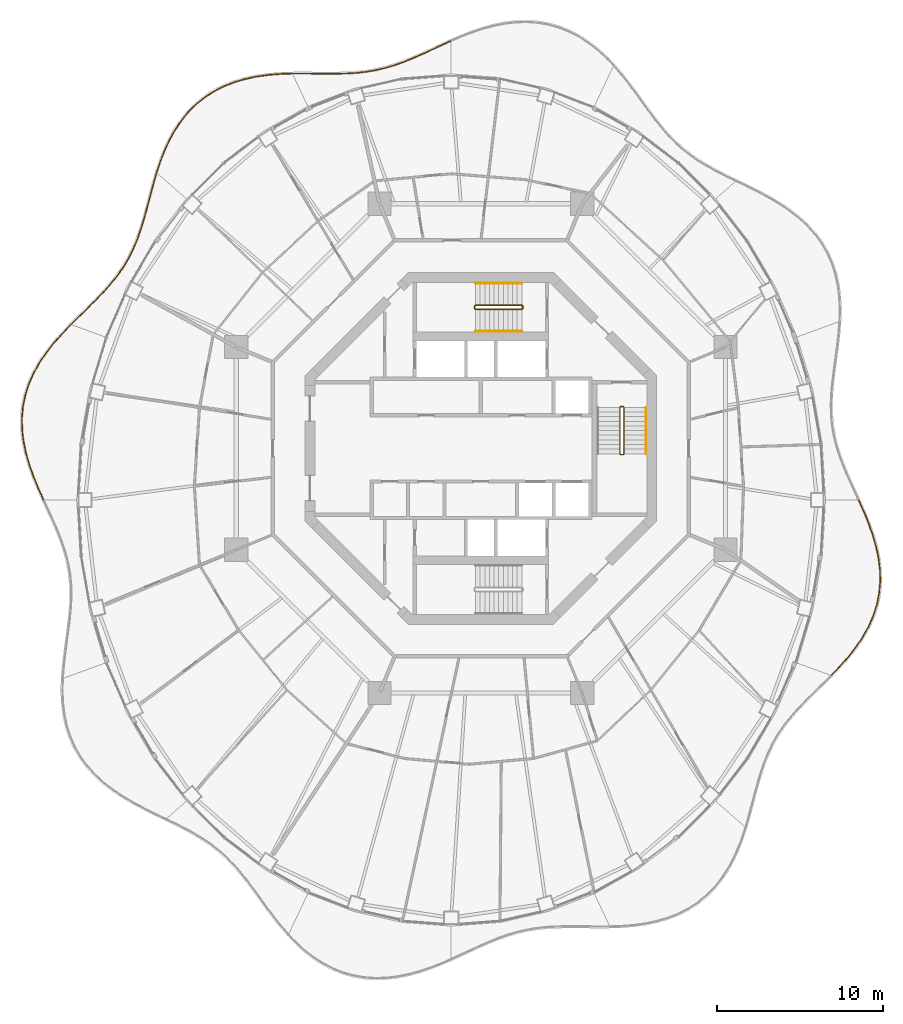
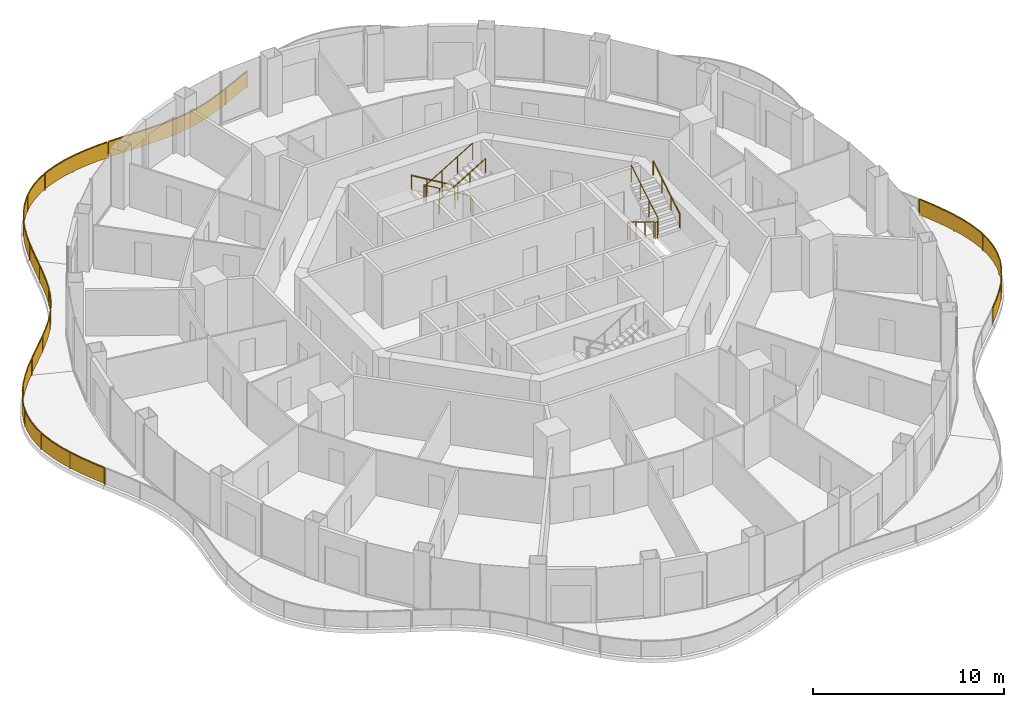
# One storey, part 16 of 17: 10 railings.
"""IFC4 building model written with IfcOpenShell, lengths in metres."""

from ifc_helpers import new_model, si_unit, direction, frame, origin, origin_2d, place, context, subcontext, project, spatial, polyline, rectangle, circle, outline, extrude, material, type_object, element, save


model = new_model("IFC4")

# Units and contexts
model_context = context("Model", 3, precision=1e-05, world=origin(), true_north=direction((0.0, 1.0)))
body_context = subcontext(model_context, "Body", "Model", "MODEL_VIEW")
ifc_project = project(units=[si_unit("LENGTHUNIT", "METRE"), si_unit("AREAUNIT", "SQUARE_METRE"), si_unit("VOLUMEUNIT", "CUBIC_METRE"), si_unit("PLANEANGLEUNIT", "RADIAN"), si_unit("MASSUNIT", "GRAM", prefix="KILO")], contexts=[model_context])

# Site, building, storey
site_placement = place(None, origin())
site = spatial("IfcSite", under=ifc_project, at=site_placement, CompositionType="ELEMENT")
building_placement = place(site_placement, origin())
building = spatial("IfcBuilding", under=site, at=building_placement, Name="Nagisa Residences", CompositionType="ELEMENT")
storey_placement = place(building_placement, frame((0.0, 0.0, 291.800048828125)))
storey = spatial("IfcBuildingStorey", under=building, at=storey_placement, Name="L74", CompositionType="ELEMENT", Elevation=291.800048828125)

# Railings
ifc_material_1 = material(Name="Stainless steel 316", Category="steel")
railing_type_1 = type_object("IfcRailingType", Name="BALCONY GUARD 1100", PredefinedType="BALUSTRADE", material=ifc_material_1)
railing_1_placement = place(storey_placement, frame((-1.83447265625, 24.60107421875, 0.0)))
element("IfcRailing", 1, at=railing_1_placement, inside=storey, type_object=railing_type_1, Name="guard:L74:bal04-0", PredefinedType="BALUSTRADE", context=body_context, shape_type="SweptSolid", body=[
    extrude(outline(polyline([(-0.55712890625, -0.28271484375), (0.010498046875, -0.022705078125), (-0.010498046875, 0.022705078125), (-0.578125, -0.2373046875), (-1.1748046875, -0.513671875), (-1.758056640625, -0.780517578125), (-2.33056640625, -1.030029296875), (-2.89599609375, -1.255126953125), (-3.43994140625, -1.44775390625), (-4.002685546875, -1.61083984375), (-4.569580078125, -1.7392578125), (-5.1455078125, -1.833984375), (-5.73291015625, -1.897705078125), (-6.318603515625, -1.928955078125), (-6.93701171875, -1.943359375), (-7.572021484375, -1.943359375), (-8.222900390625, -1.936279296875), (-8.887939453125, -1.9306640625), (-9.516845703125, -1.933349609375), (-9.516845703125, -1.983154296875), (-8.887939453125, -1.98095703125), (-8.223388671875, -1.986083984375), (-7.572509765625, -1.9931640625), (-6.9365234375, -1.99365234375), (-6.316650390625, -1.978759765625), (-5.72900390625, -1.947509765625), (-5.138671875, -1.8837890625), (-4.559814453125, -1.78857421875), (-3.989990234375, -1.6591796875), (-3.4248046875, -1.49560546875), (-2.87841796875, -1.302001953125), (-2.3115234375, -1.076416015625), (-1.737548828125, -0.826416015625), (-1.15380859375, -0.55908203125), (-0.55712890625, -0.28271484375)])), frame((0.0, 0.0, 1.050048828125)), (0.0, 0.0, 1.0), 0.050048828125),
    extrude(outline(polyline([(-0.564697265625, -0.266357421875), (0.0029296875, -0.00634765625), (-0.0029296875, 0.00634765625), (-0.570556640625, -0.253662109375), (-1.167236328125, -0.530029296875), (-1.750732421875, -0.797119140625), (-2.32373046875, -1.046875), (-2.8896484375, -1.27197265625), (-3.4345703125, -1.465087890625), (-3.998046875, -1.628173828125), (-4.566162109375, -1.757080078125), (-5.14306640625, -1.85205078125), (-5.7314453125, -1.91552734375), (-6.31787109375, -1.94677734375), (-6.936767578125, -1.96142578125), (-7.572265625, -1.961181640625), (-8.22314453125, -1.9541015625), (-8.887939453125, -1.94873046875), (-9.516845703125, -1.951171875), (-9.516845703125, -1.96533203125), (-8.887939453125, -1.962890625), (-8.22314453125, -1.96826171875), (-7.572265625, -1.975341796875), (-6.936767578125, -1.9755859375), (-6.3173828125, -1.9609375), (-5.73046875, -1.9296875), (-5.14111328125, -1.86572265625), (-4.563232421875, -1.770751953125), (-3.99462890625, -1.641845703125), (-3.43017578125, -1.478271484375), (-2.884765625, -1.28515625), (-2.318359375, -1.0595703125), (-1.744873046875, -0.809814453125), (-1.161376953125, -0.542724609375), (-0.564697265625, -0.266357421875)])), frame((0.0, 0.0, 0.06005859375)), (0.0, 0.0, 1.0), 0.989990234375),
    extrude(rectangle(XDim=0.0400390625, YDim=0.0400390625, at=origin_2d()), origin(), (0.0, 0.0, 1.0), 1.050048828125),
    extrude(rectangle(XDim=0.0400390625, YDim=0.0400390625, at=origin_2d()), frame((-1.794189453125, -0.82373046875, 0.0)), (0.0, 0.0, 1.0), 1.050048828125),
    extrude(rectangle(XDim=0.0400390625, YDim=0.0400390625, at=origin_2d()), frame((-3.6357421875, -1.530517578125, 0.0)), (0.0, 0.0, 1.0), 1.050048828125),
    extrude(rectangle(XDim=0.0400390625, YDim=0.0400390625, at=origin_2d()), frame((-5.570556640625, -1.9052734375, 0.0)), (0.0, 0.0, 1.0), 1.050048828125),
    extrude(rectangle(XDim=0.0400390625, YDim=0.0400390625, at=origin_2d()), frame((-7.542724609375, -1.96826171875, 0.0)), (0.0, 0.0, 1.0), 1.050048828125),
    extrude(rectangle(XDim=0.0400390625, YDim=0.0400390625, at=origin_2d()), frame((-9.516845703125, -1.958251953125, 0.0)), (0.0, 0.0, 1.0), 1.050048828125),
])
railing_2_placement = place(storey_placement, frame((-11.427978515625, 22.642578125, 0.0)))
element("IfcRailing", 2, at=railing_2_placement, inside=storey, type_object=railing_type_1, Name="guard:L74:bal05-0", PredefinedType="BALUSTRADE", context=body_context, shape_type="SweptSolid", body=[
    extrude(outline(polyline([(-0.659912109375, -0.046875), (0.000732421875, -0.02490234375), (-0.000732421875, 0.02490234375), (-0.662841796875, 0.0029296875), (-1.372314453125, -0.053955078125), (-2.076904296875, -0.150146484375), (-2.76953125, -0.292724609375), (-3.43994140625, -0.486572265625), (-4.07470703125, -0.73046875), (-4.687744140625, -1.041015625), (-5.26171875, -1.410888671875), (-5.79150390625, -1.838623046875), (-6.27392578125, -2.320068359375), (-6.6953125, -2.8408203125), (-7.07958984375, -3.414794921875), (-7.41650390625, -4.024658203125), (-7.708984375, -4.661865234375), (-7.963134765625, -5.31884765625), (-8.167236328125, -5.943359375), (-8.119873046875, -5.958984375), (-7.915771484375, -5.33544921875), (-7.6630859375, -4.681396484375), (-7.37158203125, -4.047119140625), (-7.03662109375, -3.440673828125), (-6.65478515625, -2.87060546875), (-6.23681640625, -2.353759765625), (-5.7578125, -1.875732421875), (-5.232421875, -1.451416015625), (-4.662841796875, -1.08447265625), (-4.05419921875, -0.7763671875), (-3.423828125, -0.533935546875), (-2.75732421875, -0.341552734375), (-2.068603515625, -0.199462890625), (-1.366943359375, -0.103759765625), (-0.659912109375, -0.046875)])), frame((0.0, 0.0, 1.050048828125)), (0.0, 0.0, 1.0), 0.050048828125),
    extrude(outline(polyline([(-0.660888671875, -0.029052734375), (0.000244140625, -0.007080078125), (-0.000244140625, 0.007080078125), (-0.661865234375, -0.014892578125), (-1.370361328125, -0.07177734375), (-2.073974609375, -0.16796875), (-2.76513671875, -0.310302734375), (-3.43408203125, -0.503662109375), (-4.0673828125, -0.7470703125), (-4.6787109375, -1.056640625), (-5.251220703125, -1.425537109375), (-5.779296875, -1.85205078125), (-6.260498046875, -2.332275390625), (-6.6806640625, -2.8515625), (-7.064208984375, -3.424072265625), (-7.400390625, -4.03271484375), (-7.6923828125, -4.6689453125), (-7.946044921875, -5.32470703125), (-8.150146484375, -5.948974609375), (-8.136962890625, -5.953369140625), (-7.932861328125, -5.32958984375), (-7.6796875, -4.67431640625), (-7.3876953125, -4.0390625), (-7.052001953125, -3.431396484375), (-6.66943359375, -2.85986328125), (-6.250244140625, -2.341552734375), (-5.77001953125, -1.8623046875), (-5.242919921875, -1.436767578125), (-4.671875, -1.06884765625), (-4.0615234375, -0.759765625), (-3.4296875, -0.516845703125), (-2.76171875, -0.323974609375), (-2.071533203125, -0.181640625), (-1.368896484375, -0.0859375), (-0.660888671875, -0.029052734375)])), frame((0.0, 0.0, 0.06005859375)), (0.0, 0.0, 1.0), 0.989990234375),
    extrude(rectangle(XDim=0.0400390625, YDim=0.0400390625, at=origin_2d()), origin(), (0.0, 0.0, 1.0), 1.050048828125),
    extrude(rectangle(XDim=0.0400390625, YDim=0.0400390625, at=origin_2d()), frame((-2.186767578125, -0.1982421875, 0.0)), (0.0, 0.0, 1.0), 1.050048828125),
    extrude(rectangle(XDim=0.0400390625, YDim=0.0400390625, at=origin_2d()), frame((-4.275146484375, -0.860107421875, 0.0)), (0.0, 0.0, 1.0), 1.050048828125),
    extrude(rectangle(XDim=0.0400390625, YDim=0.0400390625, at=origin_2d()), frame((-6.052001953125, -2.1337890625, 0.0)), (0.0, 0.0, 1.0), 1.050048828125),
    extrude(rectangle(XDim=0.0400390625, YDim=0.0400390625, at=origin_2d()), frame((-7.32666015625, -3.913818359375, 0.0)), (0.0, 0.0, 1.0), 1.050048828125),
    extrude(rectangle(XDim=0.0400390625, YDim=0.0400390625, at=origin_2d()), frame((-8.1435546875, -5.951171875, 0.0)), (0.0, 0.0, 1.0), 1.050048828125),
])
railing_3_placement = place(storey_placement, frame((-19.593017578125, 16.61767578125, 0.0)))
element("IfcRailing", 3, at=railing_3_placement, inside=storey, type_object=railing_type_1, Name="guard:L74:bal06-0", PredefinedType="BALUSTRADE", context=body_context, shape_type="SweptSolid", body=[
    extrude(outline(polyline([(-0.166015625, -0.666259765625), (0.02392578125, -0.0068359375), (-0.02392578125, 0.0068359375), (-0.21435546875, -0.652587890625), (-0.402099609375, -1.3505859375), (-0.582275390625, -2.03515625), (-0.76513671875, -2.700927734375), (-0.9609375, -3.343505859375), (-1.16943359375, -3.947265625), (-1.41552734375, -4.53662109375), (-1.69677734375, -5.099609375), (-2.016845703125, -5.638671875), (-2.37744140625, -6.1572265625), (-2.771240234375, -6.64697265625), (-3.20849609375, -7.139404296875), (-3.677490234375, -7.627685546875), (-4.170166015625, -8.117431640625), (-4.67724609375, -8.6142578125), (-5.157958984375, -9.08984375), (-5.122802734375, -9.12548828125), (-4.64208984375, -8.64990234375), (-4.135009765625, -8.153076171875), (-3.641845703125, -7.662841796875), (-3.171875, -7.173583984375), (-2.733154296875, -6.67919921875), (-2.33740234375, -6.18701171875), (-1.974853515625, -5.66552734375), (-1.65283203125, -5.12353515625), (-1.3701171875, -4.5576171875), (-1.12255859375, -3.96533203125), (-0.9130859375, -3.359130859375), (-0.71728515625, -2.715087890625), (-0.533935546875, -2.04833984375), (-0.353759765625, -1.36328125), (-0.166015625, -0.666259765625)])), frame((0.0, 0.0, 1.050048828125)), (0.0, 0.0, 1.0), 0.050048828125),
    extrude(outline(polyline([(-0.183349609375, -0.661376953125), (0.0068359375, -0.001953125), (-0.0068359375, 0.001953125), (-0.197021484375, -0.657470703125), (-0.384765625, -1.355224609375), (-0.56494140625, -2.0400390625), (-0.748046875, -2.7060546875), (-0.943603515625, -3.34912109375), (-1.152587890625, -3.953857421875), (-1.399169921875, -4.544189453125), (-1.680908203125, -5.108154296875), (-2.001708984375, -5.648193359375), (-2.363037109375, -6.16796875), (-2.757568359375, -6.658447265625), (-3.1953125, -7.15185546875), (-3.66455078125, -7.640380859375), (-4.157470703125, -8.13037109375), (-4.66455078125, -8.627197265625), (-5.145263671875, -9.102783203125), (-5.135498046875, -9.112548828125), (-4.65478515625, -8.636962890625), (-4.147705078125, -8.14013671875), (-3.65478515625, -7.650146484375), (-3.18505859375, -7.1611328125), (-2.746826171875, -6.667724609375), (-2.351806640625, -6.17626953125), (-1.989990234375, -5.656005859375), (-1.668701171875, -5.114990234375), (-1.386474609375, -4.550048828125), (-1.139404296875, -3.958740234375), (-0.930419921875, -3.353515625), (-0.734375, -2.7099609375), (-0.55126953125, -2.04345703125), (-0.37109375, -1.358642578125), (-0.183349609375, -0.661376953125)])), frame((0.0, 0.0, 0.06005859375)), (0.0, 0.0, 1.0), 0.989990234375),
    extrude(rectangle(XDim=0.0400390625, YDim=0.0400390625, at=origin_2d()), origin(), (0.0, 0.0, 1.0), 1.050048828125),
    extrude(rectangle(XDim=0.0400390625, YDim=0.0400390625, at=origin_2d()), frame((-0.564453125, -2.064697265625, 0.0)), (0.0, 0.0, 1.0), 1.050048828125),
    extrude(rectangle(XDim=0.0400390625, YDim=0.0400390625, at=origin_2d()), frame((-1.2080078125, -4.1044921875, 0.0)), (0.0, 0.0, 1.0), 1.050048828125),
    extrude(rectangle(XDim=0.0400390625, YDim=0.0400390625, at=origin_2d()), frame((-2.224853515625, -5.9814453125, 0.0)), (0.0, 0.0, 1.0), 1.050048828125),
    extrude(rectangle(XDim=0.0400390625, YDim=0.0400390625, at=origin_2d()), frame((-3.61865234375, -7.6025390625, 0.0)), (0.0, 0.0, 1.0), 1.050048828125),
    extrude(rectangle(XDim=0.0400390625, YDim=0.0400390625, at=origin_2d()), frame((-5.140380859375, -9.107666015625, 0.0)), (0.0, 0.0, 1.0), 1.050048828125),
])
railing_4_placement = place(storey_placement, frame((-24.7880859375, 7.456298828125, 0.0)))
element("IfcRailing", 4, at=railing_4_placement, inside=storey, type_object=railing_type_1, Name="guard:L74:bal07-0", PredefinedType="BALUSTRADE", context=body_context, shape_type="SweptSolid", body=[
    extrude(outline(polyline([(-0.471435546875, -0.525146484375), (0.01806640625, -0.017333984375), (-0.01806640625, 0.017333984375), (-0.508056640625, -0.491455078125), (-1.00634765625, -1.055908203125), (-1.47021484375, -1.644775390625), (-1.887451171875, -2.2587890625), (-2.2470703125, -2.89794921875), (-2.53662109375, -3.547119140625), (-2.755615234375, -4.23046875), (-2.897216796875, -4.930908203125), (-2.959716796875, -5.644287109375), (-2.944580078125, -6.36474609375), (-2.855224609375, -7.074462890625), (-2.701904296875, -7.795654296875), (-2.49267578125, -8.510986328125), (-2.239013671875, -9.216796875), (-1.95361328125, -9.910888671875), (-1.666259765625, -10.5498046875), (-1.620849609375, -10.529296875), (-1.90771484375, -9.890869140625), (-2.192138671875, -9.19873046875), (-2.44482421875, -8.495361328125), (-2.653564453125, -7.783447265625), (-2.805908203125, -7.066162109375), (-2.894775390625, -6.361328125), (-2.909423828125, -5.645751953125), (-2.847412109375, -4.938232421875), (-2.707275390625, -4.2431640625), (-2.48974609375, -3.565185546875), (-2.2021484375, -2.92041015625), (-1.844970703125, -2.28515625), (-1.4296875, -1.674560546875), (-0.9677734375, -1.088134765625), (-0.471435546875, -0.525146484375)])), frame((0.0, 0.0, 1.050048828125)), (0.0, 0.0, 1.0), 0.050048828125),
    extrude(outline(polyline([(-0.484619140625, -0.512939453125), (0.005126953125, -0.0048828125), (-0.005126953125, 0.0048828125), (-0.494873046875, -0.503662109375), (-0.992431640625, -1.067626953125), (-1.45556640625, -1.655517578125), (-1.8720703125, -2.268310546875), (-2.23095703125, -2.906005859375), (-2.519775390625, -3.5537109375), (-2.73828125, -4.235107421875), (-2.879150390625, -4.93359375), (-2.941650390625, -5.644775390625), (-2.9267578125, -6.363525390625), (-2.83740234375, -7.071533203125), (-2.6845703125, -7.791259765625), (-2.475341796875, -8.50537109375), (-2.22216796875, -9.210205078125), (-1.93701171875, -9.903564453125), (-1.64990234375, -10.54248046875), (-1.63720703125, -10.53662109375), (-1.92431640625, -9.898193359375), (-2.208984375, -9.205322265625), (-2.462158203125, -8.5009765625), (-2.6708984375, -7.787841796875), (-2.82373046875, -7.069091796875), (-2.91259765625, -6.362548828125), (-2.927490234375, -5.645263671875), (-2.865478515625, -4.935546875), (-2.724609375, -4.238525390625), (-2.506591796875, -3.55859375), (-2.21826171875, -2.912353515625), (-1.8603515625, -2.275634765625), (-1.4443359375, -1.663818359375), (-0.981689453125, -1.076416015625), (-0.484619140625, -0.512939453125)])), frame((0.0, 0.0, 0.06005859375)), (0.0, 0.0, 1.0), 0.989990234375),
    extrude(rectangle(XDim=0.0400390625, YDim=0.0400390625, at=origin_2d()), origin(), (0.0, 0.0, 1.0), 1.050048828125),
    extrude(rectangle(XDim=0.0400390625, YDim=0.0400390625, at=origin_2d()), frame((-1.51806640625, -1.759765625, 0.0)), (0.0, 0.0, 1.0), 1.050048828125),
    extrude(rectangle(XDim=0.0400390625, YDim=0.0400390625, at=origin_2d()), frame((-2.594970703125, -3.811279296875, 0.0)), (0.0, 0.0, 1.0), 1.050048828125),
    extrude(rectangle(XDim=0.0400390625, YDim=0.0400390625, at=origin_2d()), frame((-2.925048828125, -6.099853515625, 0.0)), (0.0, 0.0, 1.0), 1.050048828125),
    extrude(rectangle(XDim=0.0400390625, YDim=0.0400390625, at=origin_2d()), frame((-2.5048828125, -8.3798828125, 0.0)), (0.0, 0.0, 1.0), 1.050048828125),
    extrude(rectangle(XDim=0.0400390625, YDim=0.0400390625, at=origin_2d()), frame((-1.6435546875, -10.53955078125, 0.0)), (0.0, 0.0, 1.0), 1.050048828125),
])
railing_5_placement = place(storey_placement, frame((21.188232421875, -13.691650390625, 0.0)))
element("IfcRailing", 5, at=railing_5_placement, inside=storey, type_object=railing_type_1, Name="guard:L74:bal15-0", PredefinedType="BALUSTRADE", context=body_context, shape_type="SweptSolid", body=[
    extrude(outline(polyline([(0.47119140625, 0.525146484375), (-0.01806640625, 0.017333984375), (0.01806640625, -0.017333984375), (0.5078125, 0.491455078125), (1.00634765625, 1.055908203125), (1.47021484375, 1.644775390625), (1.88720703125, 2.2587890625), (2.246826171875, 2.89794921875), (2.536376953125, 3.546875), (2.755615234375, 4.23046875), (2.897216796875, 4.930908203125), (2.95947265625, 5.64404296875), (2.9443359375, 6.364501953125), (2.85498046875, 7.07421875), (2.70166015625, 7.795654296875), (2.49267578125, 8.510986328125), (2.23876953125, 9.216796875), (1.953369140625, 9.91064453125), (1.666015625, 10.5498046875), (1.62060546875, 10.529296875), (1.907470703125, 9.890625), (2.19189453125, 9.19873046875), (2.44482421875, 8.495361328125), (2.6533203125, 7.783447265625), (2.8056640625, 7.06591796875), (2.89453125, 6.361083984375), (2.9091796875, 5.6455078125), (2.847412109375, 4.938232421875), (2.707275390625, 4.2431640625), (2.489501953125, 3.56494140625), (2.201904296875, 2.92041015625), (1.8447265625, 2.28515625), (1.4296875, 1.674560546875), (0.9677734375, 1.088134765625), (0.47119140625, 0.525146484375)])), frame((0.0, 0.0, 1.050048828125)), (0.0, 0.0, 1.0), 0.050048828125),
    extrude(outline(polyline([(0.484375, 0.512939453125), (-0.005126953125, 0.0048828125), (0.005126953125, -0.0048828125), (0.49462890625, 0.503662109375), (0.992431640625, 1.067626953125), (1.45556640625, 1.655517578125), (1.871826171875, 2.268310546875), (2.230712890625, 2.906005859375), (2.51953125, 3.553466796875), (2.73828125, 4.235107421875), (2.879150390625, 4.93359375), (2.94140625, 5.64453125), (2.926513671875, 6.36328125), (2.837158203125, 7.0712890625), (2.684326171875, 7.791259765625), (2.475341796875, 8.50537109375), (2.221923828125, 9.210205078125), (1.936767578125, 9.9033203125), (1.649658203125, 10.54248046875), (1.636962890625, 10.53662109375), (1.924072265625, 9.89794921875), (2.208740234375, 9.205322265625), (2.462158203125, 8.5009765625), (2.670654296875, 7.787841796875), (2.823486328125, 7.06884765625), (2.912353515625, 6.3623046875), (2.92724609375, 5.64501953125), (2.865478515625, 4.935546875), (2.724609375, 4.238525390625), (2.50634765625, 3.558349609375), (2.218017578125, 2.912353515625), (1.860107421875, 2.275634765625), (1.4443359375, 1.663818359375), (0.981689453125, 1.076416015625), (0.484375, 0.512939453125)])), frame((0.0, 0.0, 0.06005859375)), (0.0, 0.0, 1.0), 0.989990234375),
    extrude(rectangle(XDim=0.0400390625, YDim=0.0400390625, at=origin_2d()), origin(), (0.0, 0.0, 1.0), 1.050048828125),
    extrude(rectangle(XDim=0.0400390625, YDim=0.0400390625, at=origin_2d()), frame((1.51806640625, 1.759765625, 0.0)), (0.0, 0.0, 1.0), 1.050048828125),
    extrude(rectangle(XDim=0.0400390625, YDim=0.0400390625, at=origin_2d()), frame((2.594970703125, 3.811279296875, 0.0)), (0.0, 0.0, 1.0), 1.050048828125),
    extrude(rectangle(XDim=0.0400390625, YDim=0.0400390625, at=origin_2d()), frame((2.9248046875, 6.099853515625, 0.0)), (0.0, 0.0, 1.0), 1.050048828125),
    extrude(rectangle(XDim=0.0400390625, YDim=0.0400390625, at=origin_2d()), frame((2.5048828125, 8.380126953125, 0.0)), (0.0, 0.0, 1.0), 1.050048828125),
    extrude(rectangle(XDim=0.0400390625, YDim=0.0400390625, at=origin_2d()), frame((1.643310546875, 10.53955078125, 0.0)), (0.0, 0.0, 1.0), 1.050048828125),
])
ifc_material_2 = material(Name="Stainless steel", Category="steel")
railing_type_2 = type_object("IfcRailingType", Name="Stair guard 1100", PredefinedType="GUARDRAIL", material=ifc_material_2)
railing_6_placement = place(storey_placement, frame((8.599609375, 2.52490234375, 0.0)))
element("IfcRailing", 6, at=railing_6_placement, inside=storey, type_object=railing_type_2, Name="L74 ST-E stair guard 1", PredefinedType="GUARDRAIL", context=body_context, shape_type="SweptSolid", body=[
    extrude(circle(Radius=0.02392578125, at=origin_2d()), frame((0.0, 0.0, 1.076171875), z_axis=(-1.0, 0.0, 0.0), x_axis=(0.0, -1.0, 0.0)), (0.0, 0.0, 1.0), 0.14990234375),
    extrude(circle(Radius=0.02392578125, at=origin_2d()), frame((-0.14990234375, 0.0, 1.076171875), z_axis=(-0.27434429532, -0.273006030465, 0.922064485248), x_axis=(0.705375805398, -0.708833529934, 0.0)), (0.0, 0.0, 1.0), 0.182373046875),
    extrude(circle(Radius=0.02392578125, at=origin_2d()), frame((-0.199951171875, -0.0498046875, 1.244140625), z_axis=(0.0, -0.857275202839, 0.514858452973), x_axis=(1.0, 0.0, 0.0)), (0.0, 0.0, 1.0), 3.26611328125),
    extrude(circle(Radius=0.02392578125, at=origin_2d()), frame((-0.199951171875, -2.849853515625, 2.92578125), z_axis=(0.707106781187, -0.707106781187, 0.0), x_axis=(0.707106781187, 0.707106781187, 0.0)), (0.0, 0.0, 1.0), 0.07080078125),
    extrude(circle(Radius=0.02392578125, at=origin_2d()), frame((-0.14990234375, -2.89990234375, 2.92578125), z_axis=(1.0, 0.0, 0.0), x_axis=(0.0, 1.0, 0.0)), (0.0, 0.0, 1.0), 0.14990234375),
    extrude(circle(Radius=0.02392578125, at=origin_2d()), frame((0.0, -2.89990234375, 2.92578125), z_axis=(0.274243871929, 0.274243871929, 0.92172696468), x_axis=(-0.707106781187, 0.707106781187, 0.0)), (0.0, 0.0, 1.0), 0.1826171875),
    extrude(circle(Radius=0.02392578125, at=origin_2d()), frame((0.050048828125, -2.849853515625, 3.09423828125), z_axis=(0.0, 0.857242210791, 0.514913383045), x_axis=(-1.0, 0.0, 0.0)), (0.0, 0.0, 1.0), 3.266357421875),
    extrude(circle(Radius=0.02099609375, at=origin_2d()), origin(), (0.0, 0.0, 1.0), 1.052001953125),
    extrude(circle(Radius=0.02099609375, at=origin_2d()), frame((-0.14990234375, 0.0, 0.0)), (0.0, 0.0, 1.0), 1.052001953125),
    extrude(circle(Radius=0.02099609375, at=origin_2d()), frame((-0.199951171875, -0.0498046875, 0.168212890625)), (0.0, 0.0, 1.0), 1.052001953125),
    extrude(circle(Radius=0.02099609375, at=origin_2d()), frame((-0.199951171875, -0.983154296875, 0.728759765625)), (0.0, 0.0, 1.0), 1.052001953125),
    extrude(circle(Radius=0.02099609375, at=origin_2d()), frame((-0.199951171875, -1.91650390625, 1.289306640625)), (0.0, 0.0, 1.0), 1.052001953125),
    extrude(circle(Radius=0.02099609375, at=origin_2d()), frame((-0.199951171875, -2.849853515625, 1.849853515625)), (0.0, 0.0, 1.0), 1.052001953125),
    extrude(circle(Radius=0.02099609375, at=origin_2d()), frame((-0.14990234375, -2.89990234375, 1.849853515625)), (0.0, 0.0, 1.0), 1.052001953125),
    extrude(circle(Radius=0.02099609375, at=origin_2d()), frame((0.0, -2.89990234375, 1.849853515625)), (0.0, 0.0, 1.0), 1.052001953125),
    extrude(circle(Radius=0.02099609375, at=origin_2d()), frame((0.050048828125, -2.849853515625, 2.01806640625)), (0.0, 0.0, 1.0), 1.052001953125),
    extrude(circle(Radius=0.02099609375, at=origin_2d()), frame((0.050048828125, -1.91650390625, 2.57861328125)), (0.0, 0.0, 1.0), 1.052001953125),
    extrude(circle(Radius=0.02099609375, at=origin_2d()), frame((0.050048828125, -0.983154296875, 3.139404296875)), (0.0, 0.0, 1.0), 1.052001953125),
    extrude(circle(Radius=0.02099609375, at=origin_2d()), frame((0.050048828125, -0.0498046875, 3.699951171875)), (0.0, 0.0, 1.0), 1.052001953125),
])
railing_7_placement = place(storey_placement, frame((2.52490234375, 8.44970703125, 0.0)))
element("IfcRailing", 7, at=railing_7_placement, inside=storey, type_object=railing_type_2, Name="L74 ST-N stair guard 1", PredefinedType="GUARDRAIL", context=body_context, shape_type="SweptSolid", body=[
    extrude(circle(Radius=0.02392578125, at=origin_2d()), frame((0.0, 0.0, 1.076171875), z_axis=(0.0, 1.0, 0.0), x_axis=(-1.0, 0.0, 0.0)), (0.0, 0.0, 1.0), 0.14990234375),
    extrude(circle(Radius=0.02392578125, at=origin_2d()), frame((0.0, 0.14990234375, 1.076171875), z_axis=(-0.273006030465, 0.27434429532, 0.922064485248), x_axis=(-0.708833529934, -0.705375805398, 0.0)), (0.0, 0.0, 1.0), 0.182373046875),
    extrude(circle(Radius=0.02392578125, at=origin_2d()), frame((-0.0498046875, 0.199951171875, 1.244140625), z_axis=(-0.857275202839, 0.0, 0.514858452973), x_axis=(0.0, -1.0, 0.0)), (0.0, 0.0, 1.0), 3.26611328125),
    extrude(circle(Radius=0.02392578125, at=origin_2d()), frame((-2.849853515625, 0.199951171875, 2.92578125), z_axis=(-0.707106781187, -0.707106781187, 0.0), x_axis=(0.707106781187, -0.707106781187, 0.0)), (0.0, 0.0, 1.0), 0.07080078125),
    extrude(circle(Radius=0.02392578125, at=origin_2d()), frame((-2.89990234375, 0.14990234375, 2.92578125), z_axis=(0.0, -1.0, 0.0), x_axis=(1.0, 0.0, 0.0)), (0.0, 0.0, 1.0), 0.14990234375),
    extrude(circle(Radius=0.02392578125, at=origin_2d()), frame((-2.89990234375, 0.0, 2.92578125), z_axis=(0.274243871929, -0.274243871929, 0.92172696468), x_axis=(0.707106781187, 0.707106781187, 0.0)), (0.0, 0.0, 1.0), 0.1826171875),
    extrude(circle(Radius=0.02392578125, at=origin_2d()), frame((-2.849853515625, -0.050048828125, 3.09423828125), z_axis=(0.857242210791, 0.0, 0.514913383045), x_axis=(0.0, 1.0, 0.0)), (0.0, 0.0, 1.0), 3.266357421875),
    extrude(circle(Radius=0.02099609375, at=origin_2d()), origin(), (0.0, 0.0, 1.0), 1.052001953125),
    extrude(circle(Radius=0.02099609375, at=origin_2d()), frame((0.0, 0.14990234375, 0.0)), (0.0, 0.0, 1.0), 1.052001953125),
    extrude(circle(Radius=0.02099609375, at=origin_2d()), frame((-0.0498046875, 0.199951171875, 0.168212890625)), (0.0, 0.0, 1.0), 1.052001953125),
    extrude(circle(Radius=0.02099609375, at=origin_2d()), frame((-0.983154296875, 0.199951171875, 0.728759765625)), (0.0, 0.0, 1.0), 1.052001953125),
    extrude(circle(Radius=0.02099609375, at=origin_2d()), frame((-1.91650390625, 0.199951171875, 1.289306640625)), (0.0, 0.0, 1.0), 1.052001953125),
    extrude(circle(Radius=0.02099609375, at=origin_2d()), frame((-2.849853515625, 0.199951171875, 1.849853515625)), (0.0, 0.0, 1.0), 1.052001953125),
    extrude(circle(Radius=0.02099609375, at=origin_2d()), frame((-2.89990234375, 0.14990234375, 1.849853515625)), (0.0, 0.0, 1.0), 1.052001953125),
    extrude(circle(Radius=0.02099609375, at=origin_2d()), frame((-2.89990234375, 0.0, 1.849853515625)), (0.0, 0.0, 1.0), 1.052001953125),
    extrude(circle(Radius=0.02099609375, at=origin_2d()), frame((-2.849853515625, -0.050048828125, 2.01806640625)), (0.0, 0.0, 1.0), 1.052001953125),
    extrude(circle(Radius=0.02099609375, at=origin_2d()), frame((-1.91650390625, -0.050048828125, 2.57861328125)), (0.0, 0.0, 1.0), 1.052001953125),
    extrude(circle(Radius=0.02099609375, at=origin_2d()), frame((-0.983154296875, -0.050048828125, 3.139404296875)), (0.0, 0.0, 1.0), 1.052001953125),
    extrude(circle(Radius=0.02099609375, at=origin_2d()), frame((-0.0498046875, -0.050048828125, 3.699951171875)), (0.0, 0.0, 1.0), 1.052001953125),
])
ifc_material_3 = material(Name="Stainless steel", Category="steel")
railing_type_3 = type_object("IfcRailingType", Name="Stair handrail 900", PredefinedType="HANDRAIL", material=ifc_material_3)
railing_8_placement = place(storey_placement, frame((9.974609375, -0.324951171875, 2.01806640625)))
element("IfcRailing", 8, at=railing_8_placement, inside=storey, type_object=railing_type_3, Name="L74 ST-E stair handrail 2", PredefinedType="HANDRAIL", context=body_context, shape_type="SweptSolid", body=[
    extrude(circle(Radius=0.02392578125, at=origin_2d()), frame((0.0, 0.0, 0.8759765625), z_axis=(0.0, 0.857242210791, 0.514913383045), x_axis=(-1.0, 0.0, 0.0)), (0.0, 0.0, 1.0), 3.266357421875),
    extrude(circle(Radius=0.02099609375, at=origin_2d()), origin(), (0.0, 0.0, 1.0), 0.851806640625),
    extrude(circle(Radius=0.02099609375, at=origin_2d()), frame((0.0, 0.933349609375, 0.560546875)), (0.0, 0.0, 1.0), 0.851806640625),
    extrude(circle(Radius=0.02099609375, at=origin_2d()), frame((0.0, 1.86669921875, 1.121337890625)), (0.0, 0.0, 1.0), 0.851806640625),
    extrude(circle(Radius=0.02099609375, at=origin_2d()), frame((0.0, 2.800048828125, 1.681884765625)), (0.0, 0.0, 1.0), 0.851806640625),
])
railing_9_placement = place(storey_placement, frame((2.47509765625, 9.974609375, 0.168212890625)))
element("IfcRailing", 9, at=railing_9_placement, inside=storey, type_object=railing_type_3, Name="L74 ST-N stair handrail 1", PredefinedType="HANDRAIL", context=body_context, shape_type="SweptSolid", body=[
    extrude(circle(Radius=0.02392578125, at=origin_2d()), frame((0.0, 0.0, 0.8759765625), z_axis=(-0.857275202839, 0.0, 0.514858452973), x_axis=(0.0, -1.0, 0.0)), (0.0, 0.0, 1.0), 3.26611328125),
    extrude(circle(Radius=0.02099609375, at=origin_2d()), origin(), (0.0, 0.0, 1.0), 0.851806640625),
    extrude(circle(Radius=0.02099609375, at=origin_2d()), frame((-0.933349609375, 0.0, 0.560546875)), (0.0, 0.0, 1.0), 0.851806640625),
    extrude(circle(Radius=0.02099609375, at=origin_2d()), frame((-1.86669921875, 0.0, 1.12109375)), (0.0, 0.0, 1.0), 0.851806640625),
    extrude(circle(Radius=0.02099609375, at=origin_2d()), frame((-2.800048828125, 0.0, 1.681640625)), (0.0, 0.0, 1.0), 0.851806640625),
])
railing_10_placement = place(storey_placement, frame((-0.324951171875, 7.07470703125, 2.01806640625)))
element("IfcRailing", 10, at=railing_10_placement, inside=storey, type_object=railing_type_3, Name="L74 ST-N stair handrail 2", PredefinedType="HANDRAIL", context=body_context, shape_type="SweptSolid", body=[
    extrude(circle(Radius=0.02392578125, at=origin_2d()), frame((0.0, 0.0, 0.8759765625), z_axis=(0.857242210791, 0.0, 0.514913383045), x_axis=(0.0, 1.0, 0.0)), (0.0, 0.0, 1.0), 3.266357421875),
    extrude(circle(Radius=0.02099609375, at=origin_2d()), origin(), (0.0, 0.0, 1.0), 0.851806640625),
    extrude(circle(Radius=0.02099609375, at=origin_2d()), frame((0.933349609375, 0.0, 0.560546875)), (0.0, 0.0, 1.0), 0.851806640625),
    extrude(circle(Radius=0.02099609375, at=origin_2d()), frame((1.86669921875, 0.0, 1.121337890625)), (0.0, 0.0, 1.0), 0.851806640625),
    extrude(circle(Radius=0.02099609375, at=origin_2d()), frame((2.800048828125, 0.0, 1.681884765625)), (0.0, 0.0, 1.0), 0.851806640625),
])

save(model, "model.ifc")
